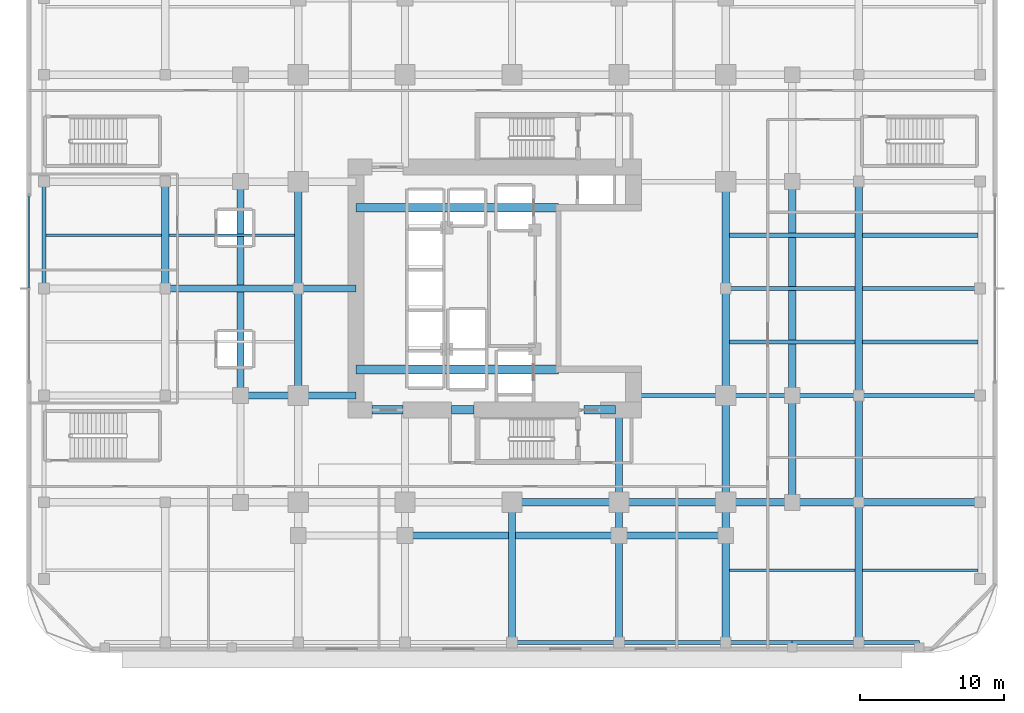
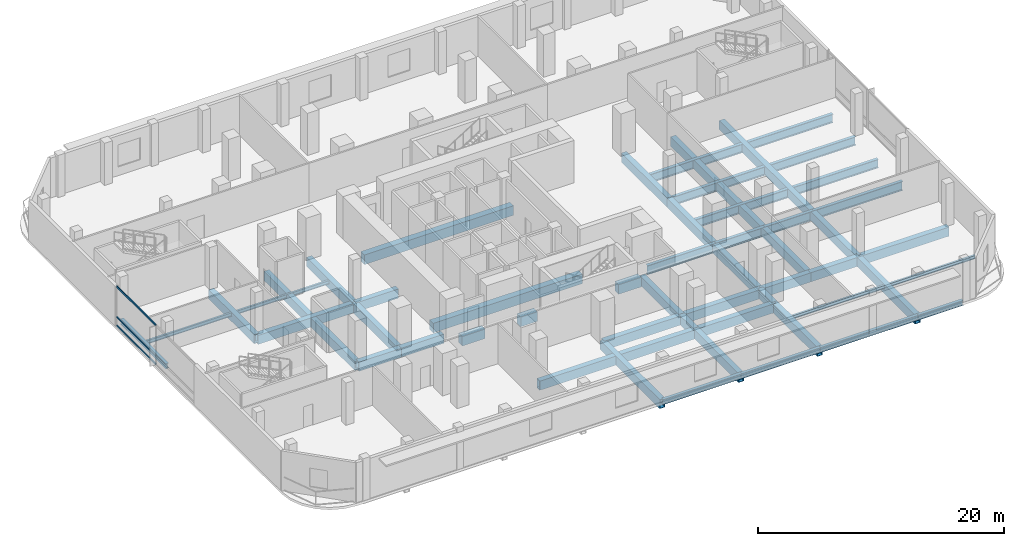
# One storey, part 3 of 19: 54 beams, 3 members, 1 element without a shape of its own.
"""IFC4 building model written with IfcOpenShell, lengths in metres."""

import ifcopenshell
import ifcopenshell.guid

model = None  # the IFC model being written
_history = None  # IfcOwnerHistory: only IFC2X3 demands one
_inside = {}  # id of a spatial element -> (the spatial element, [elements in it])
_under = {}  # id of a project, library or spatial element -> (it, [spatial elements below it])
_declared = {}  # id of a project -> (the project, [libraries it declares])
_typed = {}  # id of a type object -> (the type object, [elements of that type])
_made_of = {}  # id of a material, layer set ... -> (it, [elements and type objects made of it])


def new_model(schema):
    """Start an empty IFC model of exactly this schema.

    Asked for "IFC4X3", IfcOpenShell would pick the latest addendum, in which some entities
    have other attributes; the version numbers below select the first issue.
    IFC2X3 requires an IfcOwnerHistory on every rooted entity: one is made here for all.
    """
    global model, _history
    if schema == "IFC4X3":
        model = ifcopenshell.file(schema_version=(4, 3, 0, 0))
    else:
        model = ifcopenshell.file(schema=schema)
    _inside.clear()
    _under.clear()
    _declared.clear()
    _typed.clear()
    _made_of.clear()
    _history = None
    if model.schema == "IFC2X3":
        org = make("IfcOrganization", Name="unknown")
        user = make(
            "IfcPersonAndOrganization",
            ThePerson=make("IfcPerson", FamilyName="unknown"),
            TheOrganization=org,
        )
        app = make(
            "IfcApplication",
            ApplicationDeveloper=org,
            Version="unknown",
            ApplicationFullName="unknown",
            ApplicationIdentifier="unknown",
        )
        _history = make(
            "IfcOwnerHistory",
            OwningUser=user,
            OwningApplication=app,
            ChangeAction="ADDED",
            CreationDate=0,
        )
    return model


def make(cls, **values):
    """One entity of the class cls with the attributes given. An attribute that is None is left unset."""
    return model.create_entity(
        cls, **{name: value for name, value in values.items() if value is not None}
    )


def rooted(cls, **values):
    """An entity with a GlobalId (a new one), such as an element, a storey or a relation."""
    return make(cls, GlobalId=ifcopenshell.guid.new(), OwnerHistory=_history, **values)


def si_unit(unit_type, name, prefix=None):
    """IfcSIUnit, for example si_unit("LENGTHUNIT", "METRE", prefix="MILLI")."""
    return make("IfcSIUnit", UnitType=unit_type, Prefix=prefix, Name=name)


def assignment(units):
    """IfcUnitAssignment: the units of a project."""
    return None if units is None else make("IfcUnitAssignment", Units=units)


def point(xyz):
    """IfcCartesianPoint."""
    return None if xyz is None else make("IfcCartesianPoint", Coordinates=xyz)


def direction(xyz):
    """IfcDirection."""
    return None if xyz is None else make("IfcDirection", DirectionRatios=xyz)


def frame(location, z_axis=None, x_axis=None):
    """IfcAxis2Placement3D, a coordinate frame: its origin and axes. An axis left out is left unset."""
    return make(
        "IfcAxis2Placement3D",
        Location=point(location),
        Axis=direction(z_axis),
        RefDirection=direction(x_axis),
    )


def frame_2d(location, x_axis=None):
    """IfcAxis2Placement2D, a coordinate frame in the plane: its origin and x axis."""
    return make(
        "IfcAxis2Placement2D", Location=point(location), RefDirection=direction(x_axis)
    )


def origin():
    """The frame at (0, 0, 0) with its axes left unset."""
    return frame((0.0, 0.0, 0.0))


def origin_2d():
    """The frame at (0, 0) in the plane with its x axis left unset."""
    return frame_2d((0.0, 0.0))


def place(relative_to, where):
    """IfcLocalPlacement: puts the frame where relative to a parent placement (None: the world)."""
    return make(
        "IfcLocalPlacement", PlacementRelTo=relative_to, RelativePlacement=where
    )


def context(
    kind, dimensions, precision=None, world=None, true_north=None, identifier=None
):
    """IfcGeometricRepresentationContext, for example the 3D "Model" context."""
    return make(
        "IfcGeometricRepresentationContext",
        ContextIdentifier=identifier,
        ContextType=kind,
        CoordinateSpaceDimension=dimensions,
        Precision=precision,
        WorldCoordinateSystem=world,
        TrueNorth=true_north,
    )


def subcontext(parent, identifier, kind, view, scale=None):
    """IfcGeometricRepresentationSubContext, for example "Body" below "Model"."""
    return make(
        "IfcGeometricRepresentationSubContext",
        ContextIdentifier=identifier,
        ContextType=kind,
        ParentContext=parent,
        TargetScale=scale,
        TargetView=view,
    )


def project(units=None, contexts=None):
    """IfcProject with its units and contexts."""
    return rooted(
        "IfcProject",
        Name="project",
        RepresentationContexts=contexts,
        UnitsInContext=assignment(units),
    )


def spatial(cls, under=None, at=None, **own):
    """A site, building, storey or space (cls), placed at a placement, below another one or the project."""
    s = rooted(cls, ObjectPlacement=at, **own)
    if under is not None:
        _under.setdefault(under.id(), (under, []))[1].append(s)
    return s


def profile(cls, at=None, kind="AREA", **sizes):
    """A parametric profile (cls). Its sizes go by their IFC names, for example OverallWidth=200.0."""
    return make(cls, ProfileType=kind, Position=at, **sizes)


def rectangle(**sizes):
    """IfcRectangleProfileDef."""
    return profile("IfcRectangleProfileDef", **sizes)


def hollow_rectangle(**sizes):
    """IfcRectangleHollowProfileDef."""
    return profile("IfcRectangleHollowProfileDef", **sizes)


def i_section(**sizes):
    """IfcIShapeProfileDef."""
    return profile("IfcIShapeProfileDef", **sizes)


def extrude(swept, where, along, depth):
    """IfcExtrudedAreaSolid: the profile swept, set in the frame where, extruded along a direction by depth."""
    return make(
        "IfcExtrudedAreaSolid",
        SweptArea=swept,
        Position=where,
        ExtrudedDirection=direction(along),
        Depth=depth,
    )


def shape(context_of_items, identifier, shape_type, items):
    """IfcShapeRepresentation: the items that make up one representation, for example the "Body"."""
    return make(
        "IfcShapeRepresentation",
        ContextOfItems=context_of_items,
        RepresentationIdentifier=identifier,
        RepresentationType=shape_type,
        Items=items,
    )


def material(Name=None, Category=None):
    """IfcMaterial."""
    return make("IfcMaterial", Name=Name, Category=Category)


def layer(
    of_material, thickness, ventilated=None, Name=None, Category=None, Priority=None
):
    """IfcMaterialLayer: one layer of a wall or slab, of a material (None: an air gap)."""
    return make(
        "IfcMaterialLayer",
        Material=of_material,
        LayerThickness=thickness,
        IsVentilated=ventilated,
        Name=Name,
        Category=Category,
        Priority=Priority,
    )


def layer_set(layers, Name=None):
    """IfcMaterialLayerSet."""
    return make("IfcMaterialLayerSet", MaterialLayers=layers, LayerSetName=Name)


def material_profile(
    of_material, cross_section, Name=None, Category=None, Priority=None
):
    """IfcMaterialProfile: a cross section and its material."""
    return make(
        "IfcMaterialProfile",
        Name=Name,
        Material=of_material,
        Profile=cross_section,
        Priority=Priority,
        Category=Category,
    )


def profile_set(profiles, Name=None, composite=None):
    """IfcMaterialProfileSet."""
    return make(
        "IfcMaterialProfileSet",
        Name=Name,
        MaterialProfiles=profiles,
        CompositeProfile=composite,
    )


def made_of(thing, what):
    """Note that an element or type object is made of a material, layer set ...; save() writes the relation."""
    if what is not None:
        _made_of.setdefault(what.id(), (what, []))[1].append(thing)
    return thing


def type_object(cls, material=None, **own):
    """A type object (cls), such as IfcWallType, which elements share."""
    return made_of(rooted(cls, **own), material)


def element(
    cls,
    number,
    at=None,
    inside=None,
    cuts=None,
    type_object=None,
    material=None,
    context=None,
    identifier="Body",
    shape_type=None,
    held_by="IfcProductDefinitionShape",
    body=None,
    shapes=None,
    **own,
):
    """One element of the class cls, such as IfcWall. Its Tag is "e" and its number.

    at: its placement. inside: the storey or other place that contains it. cuts: it is an
    opening in that element (IfcRelVoidsElement). A single representation is given by context,
    identifier, shape_type and body (its items); several are given by shapes. held_by: the class
    of the entity that holds the representations. save() writes the other relations.
    """
    e = rooted(cls, Tag="e%d" % number, ObjectPlacement=at, **own)
    if body is not None:
        shapes = [shape(context, identifier, shape_type, body)]
    if shapes is not None:
        e.Representation = make(held_by, Representations=shapes)
    if inside is not None:
        _inside.setdefault(inside.id(), (inside, []))[1].append(e)
    if cuts is not None:
        rooted(
            "IfcRelVoidsElement", RelatingBuildingElement=cuts, RelatedOpeningElement=e
        )
    if type_object is not None:
        _typed.setdefault(type_object.id(), (type_object, []))[1].append(e)
    return made_of(e, material)


def aggregate(whole, parts):
    """IfcRelAggregates: a whole, such as a stair, and the parts it consists of."""
    return rooted("IfcRelAggregates", RelatingObject=whole, RelatedObjects=parts)


def save(model, path):
    """Write the relations noted so far, then the file.

    IfcRelAggregates (storeys below a building ...), IfcRelContainedInSpatialStructure (elements
    in a storey), IfcRelDefinesByType, IfcRelAssociatesMaterial and IfcRelDeclares: one each for
    every whole, place, type object, material and project.
    """
    for whole, parts in _under.values():
        aggregate(whole, parts)
    for where, things in _inside.values():
        rooted(
            "IfcRelContainedInSpatialStructure",
            RelatedElements=things,
            RelatingStructure=where,
        )
    for kind, things in _typed.values():
        rooted("IfcRelDefinesByType", RelatedObjects=things, RelatingType=kind)
    for what, things in _made_of.values():
        rooted("IfcRelAssociatesMaterial", RelatedObjects=things, RelatingMaterial=what)
    for by, libraries in _declared.values():
        rooted("IfcRelDeclares", RelatingContext=by, RelatedDefinitions=libraries)
    model.write(path)


model = new_model("IFC4")

# Units and contexts
model_context = context("Model", 3, precision=1e-05, world=origin(), true_north=direction((0.0, 1.0)))
body_context = subcontext(model_context, "Body", "Model", "MODEL_VIEW")
ifc_project = project(units=[si_unit("LENGTHUNIT", "METRE"), si_unit("AREAUNIT", "SQUARE_METRE"), si_unit("VOLUMEUNIT", "CUBIC_METRE"), si_unit("PLANEANGLEUNIT", "RADIAN"), si_unit("MASSUNIT", "GRAM", prefix="KILO")], contexts=[model_context])

# Site, building, storey
site_placement = place(None, origin())
site = spatial("IfcSite", under=ifc_project, at=site_placement, CompositionType="ELEMENT")
building_placement = place(site_placement, origin())
building = spatial("IfcBuilding", under=site, at=building_placement, Name="Khorvyn Point Tower", CompositionType="ELEMENT")
storey_placement = place(building_placement, frame((0.0, 0.0, 13.199951171875)))
storey = spatial("IfcBuildingStorey", under=building, at=storey_placement, Name="L04", CompositionType="ELEMENT", Elevation=13.199951171875)

# Curtain wall, members
ifc_material_1 = material(Name="Anodised aluminium 6063-T6 and laminated Low-E glass", Category="aluminium")
ifc_layer = layer(ifc_material_1, 0.18994140625)
ifc_layer_set = layer_set([ifc_layer], Name="Stick-Built Low-E Podium Curtain Wall CW-SYS-01")
curtain_wall_type = type_object("IfcCurtainWallType", Name="Stick-Built Low-E Podium Curtain Wall CW-SYS-01", PredefinedType="NOTDEFINED", material=ifc_layer_set)
curtain_wall_placement = place(storey_placement, origin())
curtain_wall = element("IfcCurtainWall", 1, at=curtain_wall_placement, inside=storey, type_object=curtain_wall_type, Name="Curtain Wall", PredefinedType="NOTDEFINED")
ifc_material_2 = material(Name="Anodised aluminium 6063-T6", Category="aluminium")
ifc_material_profile_1 = material_profile(ifc_material_2, hollow_rectangle(XDim=0.10009765625, YDim=0.159912109375, WallThickness=0.00439453125, at=origin_2d()))
ifc_profile_set_1 = profile_set([ifc_material_profile_1], Name="Anodised aluminium 6063-T6 ALU-TRN-100x160")
member_type = type_object("IfcMemberType", Name="Anodised Aluminium 6063-T6 Transom ALU-TRN-100x160", PredefinedType="USERDEFINED", material=ifc_profile_set_1)
member_1_placement = place(storey_placement, frame((-33.449951171875, 0.050048828125, 0.050048828125), z_axis=(0.0, 1.0, 0.0), x_axis=(-1.0, 0.0, 0.0)))
member_1 = element("IfcMember", 2, at=member_1_placement, type_object=member_type, Name="Transom", ObjectType="TRANSOM", PredefinedType="USERDEFINED", context=body_context, shape_type="SweptSolid", body=[
    extrude(hollow_rectangle(XDim=0.10009765625, YDim=0.159912109375, WallThickness=0.00439453125, at=origin_2d()), origin(), (0.0, 0.0, 1.0), 6.349853515625),
])
member_2_placement = place(storey_placement, frame((-33.449951171875, 0.050048828125, 0.900146484375), z_axis=(0.0, 1.0, 0.0), x_axis=(-1.0, 0.0, 0.0)))
member_2 = element("IfcMember", 3, at=member_2_placement, type_object=member_type, Name="Transom", ObjectType="TRANSOM", PredefinedType="USERDEFINED", context=body_context, shape_type="SweptSolid", body=[
    extrude(hollow_rectangle(XDim=0.10009765625, YDim=0.159912109375, WallThickness=0.00439453125, at=origin_2d()), origin(), (0.0, 0.0, 1.0), 6.349853515625),
])
member_3_placement = place(storey_placement, frame((-33.449951171875, 0.050048828125, 3.91015625), z_axis=(0.0, 1.0, 0.0), x_axis=(-1.0, 0.0, 0.0)))
member_3 = element("IfcMember", 4, at=member_3_placement, type_object=member_type, Name="Transom", ObjectType="TRANSOM", PredefinedType="USERDEFINED", context=body_context, shape_type="SweptSolid", body=[
    extrude(hollow_rectangle(XDim=0.10009765625, YDim=0.159912109375, WallThickness=0.00439453125, at=origin_2d()), origin(), (0.0, 0.0, 1.0), 6.349853515625),
])
aggregate(curtain_wall, [member_1, member_2, member_3])

# Beams
ifc_material_3 = material(Name="Concrete C50/60", Category="concrete")
ifc_material_profile_2 = material_profile(ifc_material_3, rectangle(XDim=0.60009765625, YDim=0.949951171875, at=origin_2d()))
ifc_profile_set_2 = profile_set([ifc_material_profile_2], Name="Concrete C50/60 RC600x950")
beam_type_1 = type_object("IfcBeamType", Name="Concrete C50/60 Beam RC600x950", PredefinedType="BEAM", material=ifc_profile_set_2)
for number, where, z_axis, x_axis, name in (
    (5, (-10.800048828125, -5.60009765625, -0.71484375), (1.0, 0.0, 0.0), (0.0, 1.0, 0.0), "L04 Core Internal Tie Girder S"),
    (6, (-10.800048828125, 5.60009765625, -0.71484375), (1.0, 0.0, 0.0), (0.0, 1.0, 0.0), "L04 Core Internal Tie Girder N"),
):
    element("IfcBeam", number, at=place(storey_placement, frame(where, z_axis=z_axis, x_axis=x_axis)), inside=storey, type_object=beam_type_1, Name=name, PredefinedType="BEAM", context=body_context, shape_type="SweptSolid", body=[
        extrude(rectangle(XDim=0.60009765625, YDim=0.949951171875, at=origin_2d()), origin(), (0.0, 0.0, 1.0), 14.02001953125),
    ])
beam_1_placement = place(storey_placement, frame((-9.699951171875, -8.39990234375, -0.71484375), z_axis=(1.0, 0.0, 0.0), x_axis=(0.0, 1.0, 0.0)))
element("IfcBeam", 7, at=beam_1_placement, inside=storey, type_object=beam_type_1, Name="L04 Core Southwest Portal Coupling Beam", PredefinedType="BEAM", context=body_context, shape_type="SweptSolid", body=[
    extrude(rectangle(XDim=0.60009765625, YDim=0.949951171875, at=origin_2d()), origin(), (0.0, 0.0, 1.0), 2.14990234375),
])
beam_2_placement = place(storey_placement, frame((-4.199951171875, -8.39990234375, -0.71484375), z_axis=(1.0, 0.0, 0.0), x_axis=(0.0, 1.0, 0.0)))
element("IfcBeam", 8, at=beam_2_placement, inside=storey, type_object=beam_type_1, Name="L04 Core Shuttle Portal Coupling Beam", PredefinedType="BEAM", context=body_context, shape_type="SweptSolid", body=[
    extrude(rectangle(XDim=0.60009765625, YDim=0.949951171875, at=origin_2d()), origin(), (0.0, 0.0, 1.0), 1.579833984375),
])
beam_3_placement = place(storey_placement, frame((5.0, -8.39990234375, -0.71484375), z_axis=(1.0, 0.0, 0.0), x_axis=(0.0, 1.0, 0.0)))
element("IfcBeam", 9, at=beam_3_placement, inside=storey, type_object=beam_type_1, Name="L04 Core Southeast Portal Coupling Beam", PredefinedType="BEAM", context=body_context, shape_type="SweptSolid", body=[
    extrude(rectangle(XDim=0.60009765625, YDim=0.949951171875, at=origin_2d()), origin(), (0.0, 0.0, 1.0), 2.14990234375),
])
ifc_material_4 = material(Name="Steel S355", Category="steel")
ifc_material_profile_3 = material_profile(ifc_material_4, i_section(OverallWidth=0.175048828125, OverallDepth=0.35009765625, WebThickness=0.007080078125, FlangeThickness=0.010986328125, at=origin_2d()))
ifc_profile_set_3 = profile_set([ifc_material_profile_3], Name="Steel S355 H350x175x7x11")
beam_type_2 = type_object("IfcBeamType", Name="Steel S355 Joist H350x175x7x11", PredefinedType="JOIST", material=ifc_profile_set_3)
beam_4_placement = place(storey_placement, frame((15.050048828125, -19.5, -0.4150390625), z_axis=(1.0, 0.0, 0.0), x_axis=(0.0, 1.0, 0.0)))
element("IfcBeam", 10, at=beam_4_placement, inside=storey, type_object=beam_type_2, Name="Beam", PredefinedType="JOIST", context=body_context, shape_type="SweptSolid", body=[
    extrude(i_section(OverallWidth=0.175048828125, OverallDepth=0.35009765625, WebThickness=0.007080078125, FlangeThickness=0.010986328125, at=origin_2d()), origin(), (0.0, 0.0, 1.0), 8.699951171875),
])
for number, where, z_axis, x_axis, name in (
    (11, (24.25, -19.5, -0.4150390625), (1.0, 0.0, 0.0), (0.0, 1.0, 0.0), "Beam"),
    (12, (-32.25, 3.699951171875, -0.4150390625), (1.0, 0.0, 0.0), (0.0, 1.0, 0.0), "Beam"),
):
    element("IfcBeam", number, at=place(storey_placement, frame(where, z_axis=z_axis, x_axis=x_axis)), inside=storey, type_object=beam_type_2, Name=name, PredefinedType="JOIST", context=body_context, shape_type="SweptSolid", body=[
        extrude(i_section(OverallWidth=0.175048828125, OverallDepth=0.35009765625, WebThickness=0.007080078125, FlangeThickness=0.010986328125, at=origin_2d()), origin(), (0.0, 0.0, 1.0), 8.0),
    ])
beam_5_placement = place(storey_placement, frame((-23.75, 3.699951171875, -0.4150390625), z_axis=(1.0, 0.0, 0.0), x_axis=(0.0, 1.0, 0.0)))
element("IfcBeam", 13, at=beam_5_placement, inside=storey, type_object=beam_type_2, Name="Beam", PredefinedType="JOIST", context=body_context, shape_type="SweptSolid", body=[
    extrude(i_section(OverallWidth=0.175048828125, OverallDepth=0.35009765625, WebThickness=0.007080078125, FlangeThickness=0.010986328125, at=origin_2d()), origin(), (0.0, 0.0, 1.0), 8.699951171875),
])
ifc_material_profile_4 = material_profile(ifc_material_4, i_section(OverallWidth=0.300048828125, OverallDepth=0.488037109375, WebThickness=0.010986328125, FlangeThickness=0.01806640625, at=origin_2d()))
ifc_profile_set_4 = profile_set([ifc_material_profile_4], Name="Steel S355 H488x300x11x18")
beam_type_3 = type_object("IfcBeamType", Name="Steel S355 Spandrel H488x300x11x18", PredefinedType="SPANDREL", material=ifc_profile_set_4)
beam_6_placement = place(storey_placement, frame((0.0, -24.5, -0.48388671875), z_axis=(1.0, 0.0, 0.0), x_axis=(0.0, 1.0, 0.0)))
element("IfcBeam", 14, at=beam_6_placement, inside=storey, type_object=beam_type_3, Name="Beam", PredefinedType="SPANDREL", context=body_context, shape_type="SweptSolid", body=[
    extrude(i_section(OverallWidth=0.300048828125, OverallDepth=0.488037109375, WebThickness=0.010986328125, FlangeThickness=0.01806640625, at=origin_2d()), origin(), (0.0, 0.0, 1.0), 7.39990234375),
])
beam_7_placement = place(storey_placement, frame((7.39990234375, -24.5, -0.48388671875), z_axis=(1.0, 0.0, 0.0), x_axis=(0.0, 1.0, 0.0)))
element("IfcBeam", 15, at=beam_7_placement, inside=storey, type_object=beam_type_3, Name="Beam", PredefinedType="SPANDREL", context=body_context, shape_type="SweptSolid", body=[
    extrude(i_section(OverallWidth=0.300048828125, OverallDepth=0.488037109375, WebThickness=0.010986328125, FlangeThickness=0.01806640625, at=origin_2d()), origin(), (0.0, 0.0, 1.0), 7.400146484375),
])
beam_8_placement = place(storey_placement, frame((14.800048828125, -24.5, -0.48388671875), z_axis=(1.0, 0.0, 0.0), x_axis=(0.0, 1.0, 0.0)))
element("IfcBeam", 16, at=beam_8_placement, inside=storey, type_object=beam_type_3, Name="Beam", PredefinedType="SPANDREL", context=body_context, shape_type="SweptSolid", body=[
    extrude(i_section(OverallWidth=0.300048828125, OverallDepth=0.488037109375, WebThickness=0.010986328125, FlangeThickness=0.01806640625, at=origin_2d()), origin(), (0.0, 0.0, 1.0), 4.599853515625),
])
beam_9_placement = place(storey_placement, frame((19.39990234375, -24.5, -0.48388671875), z_axis=(1.0, 0.0, 0.0), x_axis=(0.0, 1.0, 0.0)))
element("IfcBeam", 17, at=beam_9_placement, inside=storey, type_object=beam_type_3, Name="Beam", PredefinedType="SPANDREL", context=body_context, shape_type="SweptSolid", body=[
    extrude(i_section(OverallWidth=0.300048828125, OverallDepth=0.488037109375, WebThickness=0.010986328125, FlangeThickness=0.01806640625, at=origin_2d()), origin(), (0.0, 0.0, 1.0), 4.60009765625),
])
beam_10_placement = place(storey_placement, frame((24.0, -24.5, -0.48388671875), z_axis=(1.0, 0.0, 0.0), x_axis=(0.0, 1.0, 0.0)))
element("IfcBeam", 18, at=beam_10_placement, inside=storey, type_object=beam_type_3, Name="Beam", PredefinedType="SPANDREL", context=body_context, shape_type="SweptSolid", body=[
    extrude(i_section(OverallWidth=0.300048828125, OverallDepth=0.488037109375, WebThickness=0.010986328125, FlangeThickness=0.01806640625, at=origin_2d()), origin(), (0.0, 0.0, 1.0), 4.199951171875),
])
beam_11_placement = place(storey_placement, frame((-32.39990234375, 0.0, -0.48388671875), z_axis=(0.0, 1.0, 0.0), x_axis=(-1.0, 0.0, 0.0)))
element("IfcBeam", 19, at=beam_11_placement, inside=storey, type_object=beam_type_3, Name="Beam", PredefinedType="SPANDREL", context=body_context, shape_type="SweptSolid", body=[
    extrude(i_section(OverallWidth=0.300048828125, OverallDepth=0.488037109375, WebThickness=0.010986328125, FlangeThickness=0.01806640625, at=origin_2d()), origin(), (0.0, 0.0, 1.0), 7.39990234375),
])
ifc_material_5 = material(Name="Steel S450", Category="steel")
ifc_material_profile_5 = material_profile(ifc_material_5, hollow_rectangle(XDim=0.5, YDim=0.89990234375, WallThickness=0.0400390625, at=origin_2d()))
ifc_profile_set_5 = profile_set([ifc_material_profile_5], Name="Steel S450 BOX900x500x40")
beam_type_4 = type_object("IfcBeamType", Name="Steel S450 Beam BOX900x500x40", PredefinedType="BEAM", material=ifc_profile_set_5)
beam_12_placement = place(storey_placement, frame((0.0, -14.800048828125, -0.68994140625), z_axis=(1.0, 0.0, 0.0), x_axis=(0.0, 1.0, 0.0)))
element("IfcBeam", 20, at=beam_12_placement, inside=storey, type_object=beam_type_4, Name="Beam", PredefinedType="BEAM", context=body_context, shape_type="SweptSolid", body=[
    extrude(hollow_rectangle(XDim=0.5, YDim=0.89990234375, WallThickness=0.0400390625, at=origin_2d()), origin(), (0.0, 0.0, 1.0), 7.39990234375),
])
beam_13_placement = place(storey_placement, frame((7.39990234375, -14.800048828125, -0.68994140625), z_axis=(1.0, 0.0, 0.0), x_axis=(0.0, 1.0, 0.0)))
element("IfcBeam", 21, at=beam_13_placement, inside=storey, type_object=beam_type_4, Name="Beam", PredefinedType="BEAM", context=body_context, shape_type="SweptSolid", body=[
    extrude(hollow_rectangle(XDim=0.5, YDim=0.89990234375, WallThickness=0.0400390625, at=origin_2d()), origin(), (0.0, 0.0, 1.0), 7.400146484375),
])
beam_14_placement = place(storey_placement, frame((14.800048828125, -14.800048828125, -0.68994140625), z_axis=(1.0, 0.0, 0.0), x_axis=(0.0, 1.0, 0.0)))
element("IfcBeam", 22, at=beam_14_placement, inside=storey, type_object=beam_type_4, Name="Beam", PredefinedType="BEAM", context=body_context, shape_type="SweptSolid", body=[
    extrude(hollow_rectangle(XDim=0.5, YDim=0.89990234375, WallThickness=0.0400390625, at=origin_2d()), origin(), (0.0, 0.0, 1.0), 4.599853515625),
])
beam_15_placement = place(storey_placement, frame((19.39990234375, -14.800048828125, -0.68994140625), z_axis=(1.0, 0.0, 0.0), x_axis=(0.0, 1.0, 0.0)))
element("IfcBeam", 23, at=beam_15_placement, inside=storey, type_object=beam_type_4, Name="Beam", PredefinedType="BEAM", context=body_context, shape_type="SweptSolid", body=[
    extrude(hollow_rectangle(XDim=0.5, YDim=0.89990234375, WallThickness=0.0400390625, at=origin_2d()), origin(), (0.0, 0.0, 1.0), 4.60009765625),
])
beam_16_placement = place(storey_placement, frame((24.0, -14.800048828125, -0.68994140625), z_axis=(1.0, 0.0, 0.0), x_axis=(0.0, 1.0, 0.0)))
element("IfcBeam", 24, at=beam_16_placement, inside=storey, type_object=beam_type_4, Name="Beam", PredefinedType="BEAM", context=body_context, shape_type="SweptSolid", body=[
    extrude(hollow_rectangle(XDim=0.5, YDim=0.89990234375, WallThickness=0.0400390625, at=origin_2d()), origin(), (0.0, 0.0, 1.0), 8.39990234375),
])
for number, where, z_axis, x_axis, name in (
    (25, (-18.800048828125, -7.39990234375, -0.68994140625), (1.0, 0.0, 0.0), (0.0, 1.0, 0.0), "Beam"),
    (26, (-14.800048828125, -7.39990234375, -0.68994140625), (1.0, 0.0, 0.0), (0.0, 1.0, 0.0), "Beam"),
):
    element("IfcBeam", number, at=place(storey_placement, frame(where, z_axis=z_axis, x_axis=x_axis)), inside=storey, type_object=beam_type_4, Name=name, PredefinedType="BEAM", context=body_context, shape_type="SweptSolid", body=[
        extrude(hollow_rectangle(XDim=0.5, YDim=0.89990234375, WallThickness=0.0400390625, at=origin_2d()), origin(), (0.0, 0.0, 1.0), 4.0),
    ])
beam_17_placement = place(storey_placement, frame((-24.0, 0.0, -0.68994140625), z_axis=(1.0, 0.0, 0.0), x_axis=(0.0, 1.0, 0.0)))
element("IfcBeam", 27, at=beam_17_placement, inside=storey, type_object=beam_type_4, Name="Beam", PredefinedType="BEAM", context=body_context, shape_type="SweptSolid", body=[
    extrude(hollow_rectangle(XDim=0.5, YDim=0.89990234375, WallThickness=0.0400390625, at=origin_2d()), origin(), (0.0, 0.0, 1.0), 9.199951171875),
])
beam_18_placement = place(storey_placement, frame((-14.800048828125, 0.0, -0.68994140625), z_axis=(1.0, 0.0, 0.0), x_axis=(0.0, 1.0, 0.0)))
element("IfcBeam", 28, at=beam_18_placement, inside=storey, type_object=beam_type_4, Name="Beam", PredefinedType="BEAM", context=body_context, shape_type="SweptSolid", body=[
    extrude(hollow_rectangle(XDim=0.5, YDim=0.89990234375, WallThickness=0.0400390625, at=origin_2d()), origin(), (0.0, 0.0, 1.0), 4.0),
])
beam_19_placement = place(storey_placement, frame((-7.39990234375, -17.10009765625, -0.68994140625), z_axis=(1.0, 0.0, 0.0), x_axis=(0.0, 1.0, 0.0)))
element("IfcBeam", 29, at=beam_19_placement, inside=storey, type_object=beam_type_4, Name="Beam", PredefinedType="BEAM", context=body_context, shape_type="SweptSolid", body=[
    extrude(hollow_rectangle(XDim=0.5, YDim=0.89990234375, WallThickness=0.0400390625, at=origin_2d()), origin(), (0.0, 0.0, 1.0), 14.7998046875),
])
beam_20_placement = place(storey_placement, frame((7.39990234375, -17.10009765625, -0.68994140625), z_axis=(1.0, 0.0, 0.0), x_axis=(0.0, 1.0, 0.0)))
element("IfcBeam", 30, at=beam_20_placement, inside=storey, type_object=beam_type_4, Name="Beam", PredefinedType="BEAM", context=body_context, shape_type="SweptSolid", body=[
    extrude(hollow_rectangle(XDim=0.5, YDim=0.89990234375, WallThickness=0.0400390625, at=origin_2d()), origin(), (0.0, 0.0, 1.0), 7.400146484375),
])
for number, where, z_axis, x_axis, name in (
    (31, (-24.0, 0.0, -0.68994140625), (0.0, 1.0, 0.0), (-1.0, 0.0, 0.0), "Beam"),
    (32, (-14.800048828125, -7.39990234375, -0.68994140625), (0.0, 1.0, 0.0), (-1.0, 0.0, 0.0), "Beam"),
    (33, (-14.800048828125, 0.0, -0.68994140625), (0.0, 1.0, 0.0), (-1.0, 0.0, 0.0), "Beam"),
):
    element("IfcBeam", number, at=place(storey_placement, frame(where, z_axis=z_axis, x_axis=x_axis)), inside=storey, type_object=beam_type_4, Name=name, PredefinedType="BEAM", context=body_context, shape_type="SweptSolid", body=[
        extrude(hollow_rectangle(XDim=0.5, YDim=0.89990234375, WallThickness=0.0400390625, at=origin_2d()), origin(), (0.0, 0.0, 1.0), 7.39990234375),
    ])
beam_21_placement = place(storey_placement, frame((0.0, -24.5, -0.68994140625), z_axis=(0.0, 1.0, 0.0), x_axis=(-1.0, 0.0, 0.0)))
element("IfcBeam", 34, at=beam_21_placement, inside=storey, type_object=beam_type_4, Name="Beam", PredefinedType="BEAM", context=body_context, shape_type="SweptSolid", body=[
    extrude(hollow_rectangle(XDim=0.5, YDim=0.89990234375, WallThickness=0.0400390625, at=origin_2d()), origin(), (0.0, 0.0, 1.0), 9.699951171875),
])
beam_22_placement = place(storey_placement, frame((7.39990234375, -24.5, -0.68994140625), z_axis=(0.0, 1.0, 0.0), x_axis=(-1.0, 0.0, 0.0)))
element("IfcBeam", 35, at=beam_22_placement, inside=storey, type_object=beam_type_4, Name="Beam", PredefinedType="BEAM", context=body_context, shape_type="SweptSolid", body=[
    extrude(hollow_rectangle(XDim=0.5, YDim=0.89990234375, WallThickness=0.0400390625, at=origin_2d()), origin(), (0.0, 0.0, 1.0), 7.39990234375),
])
beam_23_placement = place(storey_placement, frame((7.39990234375, -17.10009765625, -0.68994140625), z_axis=(0.0, 1.0, 0.0), x_axis=(-1.0, 0.0, 0.0)))
element("IfcBeam", 36, at=beam_23_placement, inside=storey, type_object=beam_type_4, Name="Beam", PredefinedType="BEAM", context=body_context, shape_type="SweptSolid", body=[
    extrude(hollow_rectangle(XDim=0.5, YDim=0.89990234375, WallThickness=0.0400390625, at=origin_2d()), origin(), (0.0, 0.0, 1.0), 2.300048828125),
])
beam_24_placement = place(storey_placement, frame((7.39990234375, -14.800048828125, -0.68994140625), z_axis=(0.0, 1.0, 0.0), x_axis=(-1.0, 0.0, 0.0)))
element("IfcBeam", 37, at=beam_24_placement, inside=storey, type_object=beam_type_4, Name="Beam", PredefinedType="BEAM", context=body_context, shape_type="SweptSolid", body=[
    extrude(hollow_rectangle(XDim=0.5, YDim=0.89990234375, WallThickness=0.0400390625, at=origin_2d()), origin(), (0.0, 0.0, 1.0), 6.400146484375),
])
beam_25_placement = place(storey_placement, frame((14.800048828125, -24.5, -0.68994140625), z_axis=(0.0, 1.0, 0.0), x_axis=(-1.0, 0.0, 0.0)))
element("IfcBeam", 38, at=beam_25_placement, inside=storey, type_object=beam_type_4, Name="Beam", PredefinedType="BEAM", context=body_context, shape_type="SweptSolid", body=[
    extrude(hollow_rectangle(XDim=0.5, YDim=0.89990234375, WallThickness=0.0400390625, at=origin_2d()), origin(), (0.0, 0.0, 1.0), 7.39990234375),
])
beam_26_placement = place(storey_placement, frame((14.800048828125, -17.10009765625, -0.68994140625), z_axis=(0.0, 1.0, 0.0), x_axis=(-1.0, 0.0, 0.0)))
element("IfcBeam", 39, at=beam_26_placement, inside=storey, type_object=beam_type_4, Name="Beam", PredefinedType="BEAM", context=body_context, shape_type="SweptSolid", body=[
    extrude(hollow_rectangle(XDim=0.5, YDim=0.89990234375, WallThickness=0.0400390625, at=origin_2d()), origin(), (0.0, 0.0, 1.0), 2.300048828125),
])
beam_27_placement = place(storey_placement, frame((14.800048828125, -14.800048828125, -0.68994140625), z_axis=(0.0, 1.0, 0.0), x_axis=(-1.0, 0.0, 0.0)))
element("IfcBeam", 40, at=beam_27_placement, inside=storey, type_object=beam_type_4, Name="Beam", PredefinedType="BEAM", context=body_context, shape_type="SweptSolid", body=[
    extrude(hollow_rectangle(XDim=0.5, YDim=0.89990234375, WallThickness=0.0400390625, at=origin_2d()), origin(), (0.0, 0.0, 1.0), 7.400146484375),
])
for number, where, z_axis, x_axis, name in (
    (41, (14.800048828125, -7.39990234375, -0.68994140625), (0.0, 1.0, 0.0), (-1.0, 0.0, 0.0), "Beam"),
    (42, (14.800048828125, 0.0, -0.68994140625), (0.0, 1.0, 0.0), (-1.0, 0.0, 0.0), "Beam"),
):
    element("IfcBeam", number, at=place(storey_placement, frame(where, z_axis=z_axis, x_axis=x_axis)), inside=storey, type_object=beam_type_4, Name=name, PredefinedType="BEAM", context=body_context, shape_type="SweptSolid", body=[
        extrude(hollow_rectangle(XDim=0.5, YDim=0.89990234375, WallThickness=0.0400390625, at=origin_2d()), origin(), (0.0, 0.0, 1.0), 7.39990234375),
    ])
beam_28_placement = place(storey_placement, frame((24.0, -24.5, -0.68994140625), z_axis=(0.0, 1.0, 0.0), x_axis=(-1.0, 0.0, 0.0)))
element("IfcBeam", 43, at=beam_28_placement, inside=storey, type_object=beam_type_4, Name="Beam", PredefinedType="BEAM", context=body_context, shape_type="SweptSolid", body=[
    extrude(hollow_rectangle(XDim=0.5, YDim=0.89990234375, WallThickness=0.0400390625, at=origin_2d()), origin(), (0.0, 0.0, 1.0), 9.699951171875),
])
beam_29_placement = place(storey_placement, frame((24.0, -14.800048828125, -0.68994140625), z_axis=(0.0, 1.0, 0.0), x_axis=(-1.0, 0.0, 0.0)))
element("IfcBeam", 44, at=beam_29_placement, inside=storey, type_object=beam_type_4, Name="Beam", PredefinedType="BEAM", context=body_context, shape_type="SweptSolid", body=[
    extrude(hollow_rectangle(XDim=0.5, YDim=0.89990234375, WallThickness=0.0400390625, at=origin_2d()), origin(), (0.0, 0.0, 1.0), 7.400146484375),
])
for number, where, z_axis, x_axis, name in (
    (45, (24.0, -7.39990234375, -0.68994140625), (0.0, 1.0, 0.0), (-1.0, 0.0, 0.0), "Beam"),
    (46, (-18.800048828125, -7.39990234375, -0.68994140625), (0.0, 1.0, 0.0), (-1.0, 0.0, 0.0), "Beam"),
):
    element("IfcBeam", number, at=place(storey_placement, frame(where, z_axis=z_axis, x_axis=x_axis)), inside=storey, type_object=beam_type_4, Name=name, PredefinedType="BEAM", context=body_context, shape_type="SweptSolid", body=[
        extrude(hollow_rectangle(XDim=0.5, YDim=0.89990234375, WallThickness=0.0400390625, at=origin_2d()), origin(), (0.0, 0.0, 1.0), 14.7998046875),
    ])
beam_30_placement = place(storey_placement, frame((19.39990234375, -14.800048828125, -0.68994140625), z_axis=(0.0, 1.0, 0.0), x_axis=(-1.0, 0.0, 0.0)))
element("IfcBeam", 47, at=beam_30_placement, inside=storey, type_object=beam_type_4, Name="Beam", PredefinedType="BEAM", context=body_context, shape_type="SweptSolid", body=[
    extrude(hollow_rectangle(XDim=0.5, YDim=0.89990234375, WallThickness=0.0400390625, at=origin_2d()), origin(), (0.0, 0.0, 1.0), 7.400146484375),
])
beam_31_placement = place(storey_placement, frame((19.39990234375, -7.39990234375, -0.68994140625), z_axis=(0.0, 1.0, 0.0), x_axis=(-1.0, 0.0, 0.0)))
element("IfcBeam", 48, at=beam_31_placement, inside=storey, type_object=beam_type_4, Name="Beam", PredefinedType="BEAM", context=body_context, shape_type="SweptSolid", body=[
    extrude(hollow_rectangle(XDim=0.5, YDim=0.89990234375, WallThickness=0.0400390625, at=origin_2d()), origin(), (0.0, 0.0, 1.0), 14.7998046875),
])
ifc_material_profile_6 = material_profile(ifc_material_5, i_section(OverallWidth=0.300048828125, OverallDepth=0.85009765625, WebThickness=0.014892578125, FlangeThickness=0.027099609375, at=origin_2d()))
ifc_profile_set_6 = profile_set([ifc_material_profile_6], Name="Steel S450 H850x300x15x27")
beam_type_5 = type_object("IfcBeamType", Name="Steel S450 Beam H850x300x15x27", PredefinedType="BEAM", material=ifc_profile_set_6)
beam_32_placement = place(storey_placement, frame((15.050048828125, -3.699951171875, -0.6650390625), z_axis=(1.0, 0.0, 0.0), x_axis=(0.0, 1.0, 0.0)))
element("IfcBeam", 49, at=beam_32_placement, inside=storey, type_object=beam_type_5, Name="L04 Gymnasium Long-Span Roof Girder 1", PredefinedType="BEAM", context=body_context, shape_type="SweptSolid", body=[
    extrude(i_section(OverallWidth=0.300048828125, OverallDepth=0.85009765625, WebThickness=0.014892578125, FlangeThickness=0.027099609375, at=origin_2d()), origin(), (0.0, 0.0, 1.0), 8.699951171875),
])
beam_33_placement = place(storey_placement, frame((24.25, -3.699951171875, -0.6650390625), z_axis=(1.0, 0.0, 0.0), x_axis=(0.0, 1.0, 0.0)))
element("IfcBeam", 50, at=beam_33_placement, inside=storey, type_object=beam_type_5, Name="L04 Gymnasium Long-Span Roof Girder 1", PredefinedType="BEAM", context=body_context, shape_type="SweptSolid", body=[
    extrude(i_section(OverallWidth=0.300048828125, OverallDepth=0.85009765625, WebThickness=0.014892578125, FlangeThickness=0.027099609375, at=origin_2d()), origin(), (0.0, 0.0, 1.0), 8.0),
])
beam_34_placement = place(storey_placement, frame((15.050048828125, 0.0, -0.6650390625), z_axis=(1.0, 0.0, 0.0), x_axis=(0.0, 1.0, 0.0)))
element("IfcBeam", 51, at=beam_34_placement, inside=storey, type_object=beam_type_5, Name="L04 Gymnasium Long-Span Roof Girder 2", PredefinedType="BEAM", context=body_context, shape_type="SweptSolid", body=[
    extrude(i_section(OverallWidth=0.300048828125, OverallDepth=0.85009765625, WebThickness=0.014892578125, FlangeThickness=0.027099609375, at=origin_2d()), origin(), (0.0, 0.0, 1.0), 8.699951171875),
])
beam_35_placement = place(storey_placement, frame((24.25, 0.0, -0.6650390625), z_axis=(1.0, 0.0, 0.0), x_axis=(0.0, 1.0, 0.0)))
element("IfcBeam", 52, at=beam_35_placement, inside=storey, type_object=beam_type_5, Name="L04 Gymnasium Long-Span Roof Girder 2", PredefinedType="BEAM", context=body_context, shape_type="SweptSolid", body=[
    extrude(i_section(OverallWidth=0.300048828125, OverallDepth=0.85009765625, WebThickness=0.014892578125, FlangeThickness=0.027099609375, at=origin_2d()), origin(), (0.0, 0.0, 1.0), 8.0),
])
beam_36_placement = place(storey_placement, frame((15.050048828125, 3.699951171875, -0.6650390625), z_axis=(1.0, 0.0, 0.0), x_axis=(0.0, 1.0, 0.0)))
element("IfcBeam", 53, at=beam_36_placement, inside=storey, type_object=beam_type_5, Name="L04 Gymnasium Long-Span Roof Girder 3", PredefinedType="BEAM", context=body_context, shape_type="SweptSolid", body=[
    extrude(i_section(OverallWidth=0.300048828125, OverallDepth=0.85009765625, WebThickness=0.014892578125, FlangeThickness=0.027099609375, at=origin_2d()), origin(), (0.0, 0.0, 1.0), 8.699951171875),
])
beam_37_placement = place(storey_placement, frame((24.25, 3.699951171875, -0.6650390625), z_axis=(1.0, 0.0, 0.0), x_axis=(0.0, 1.0, 0.0)))
element("IfcBeam", 54, at=beam_37_placement, inside=storey, type_object=beam_type_5, Name="L04 Gymnasium Long-Span Roof Girder 3", PredefinedType="BEAM", context=body_context, shape_type="SweptSolid", body=[
    extrude(i_section(OverallWidth=0.300048828125, OverallDepth=0.85009765625, WebThickness=0.014892578125, FlangeThickness=0.027099609375, at=origin_2d()), origin(), (0.0, 0.0, 1.0), 8.0),
])
ifc_material_profile_7 = material_profile(ifc_material_5, i_section(OverallWidth=0.300048828125, OverallDepth=0.89990234375, WebThickness=0.01611328125, FlangeThickness=0.028076171875, at=origin_2d()))
ifc_profile_set_7 = profile_set([ifc_material_profile_7], Name="Steel S450 H900x300x16x28")
beam_type_6 = type_object("IfcBeamType", Name="Steel S450 Beam H900x300x16x28", PredefinedType="BEAM", material=ifc_profile_set_7)
beam_38_placement = place(storey_placement, frame((8.39990234375, -7.39990234375, -0.68994140625), z_axis=(1.0, 0.0, 0.0), x_axis=(0.0, 1.0, 0.0)))
element("IfcBeam", 55, at=beam_38_placement, inside=storey, type_object=beam_type_6, Name="Beam", PredefinedType="BEAM", context=body_context, shape_type="SweptSolid", body=[
    extrude(i_section(OverallWidth=0.300048828125, OverallDepth=0.89990234375, WebThickness=0.01611328125, FlangeThickness=0.028076171875, at=origin_2d()), origin(), (0.0, 0.0, 1.0), 6.400146484375),
])
beam_39_placement = place(storey_placement, frame((14.800048828125, -7.39990234375, -0.68994140625), z_axis=(1.0, 0.0, 0.0), x_axis=(0.0, 1.0, 0.0)))
element("IfcBeam", 56, at=beam_39_placement, inside=storey, type_object=beam_type_6, Name="Beam", PredefinedType="BEAM", context=body_context, shape_type="SweptSolid", body=[
    extrude(i_section(OverallWidth=0.300048828125, OverallDepth=0.89990234375, WebThickness=0.01611328125, FlangeThickness=0.028076171875, at=origin_2d()), origin(), (0.0, 0.0, 1.0), 4.599853515625),
])
beam_40_placement = place(storey_placement, frame((19.39990234375, -7.39990234375, -0.68994140625), z_axis=(1.0, 0.0, 0.0), x_axis=(0.0, 1.0, 0.0)))
element("IfcBeam", 57, at=beam_40_placement, inside=storey, type_object=beam_type_6, Name="Beam", PredefinedType="BEAM", context=body_context, shape_type="SweptSolid", body=[
    extrude(i_section(OverallWidth=0.300048828125, OverallDepth=0.89990234375, WebThickness=0.01611328125, FlangeThickness=0.028076171875, at=origin_2d()), origin(), (0.0, 0.0, 1.0), 4.60009765625),
])
beam_41_placement = place(storey_placement, frame((24.0, -7.39990234375, -0.68994140625), z_axis=(1.0, 0.0, 0.0), x_axis=(0.0, 1.0, 0.0)))
element("IfcBeam", 58, at=beam_41_placement, inside=storey, type_object=beam_type_6, Name="Beam", PredefinedType="BEAM", context=body_context, shape_type="SweptSolid", body=[
    extrude(i_section(OverallWidth=0.300048828125, OverallDepth=0.89990234375, WebThickness=0.01611328125, FlangeThickness=0.028076171875, at=origin_2d()), origin(), (0.0, 0.0, 1.0), 8.39990234375),
])

save(model, "model.ifc")
